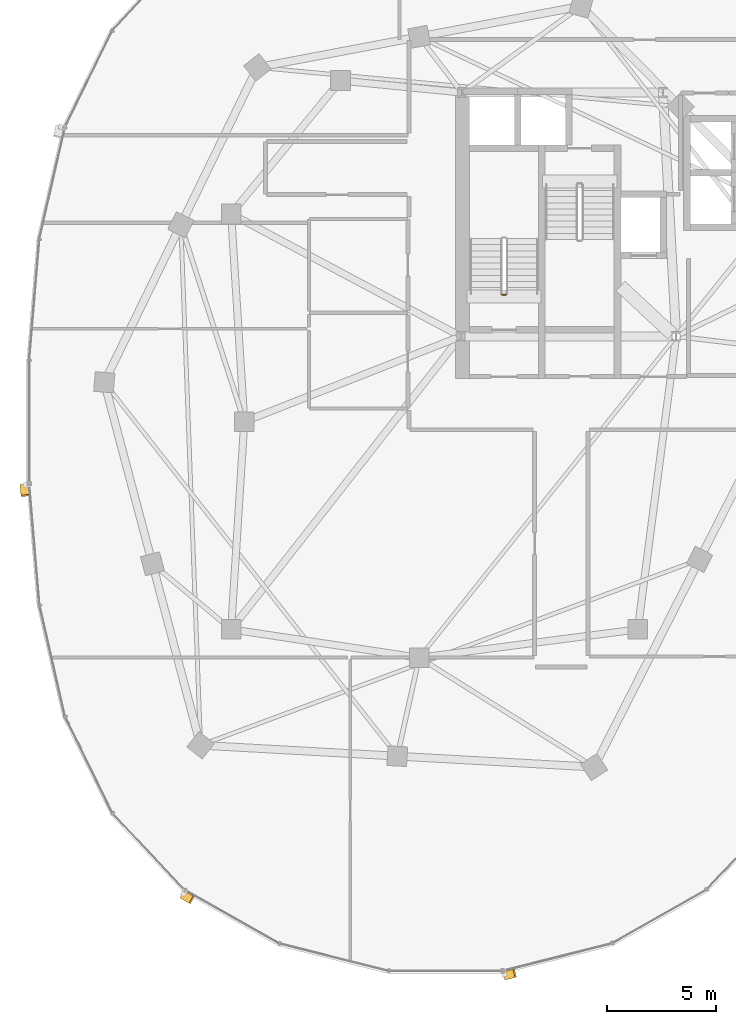
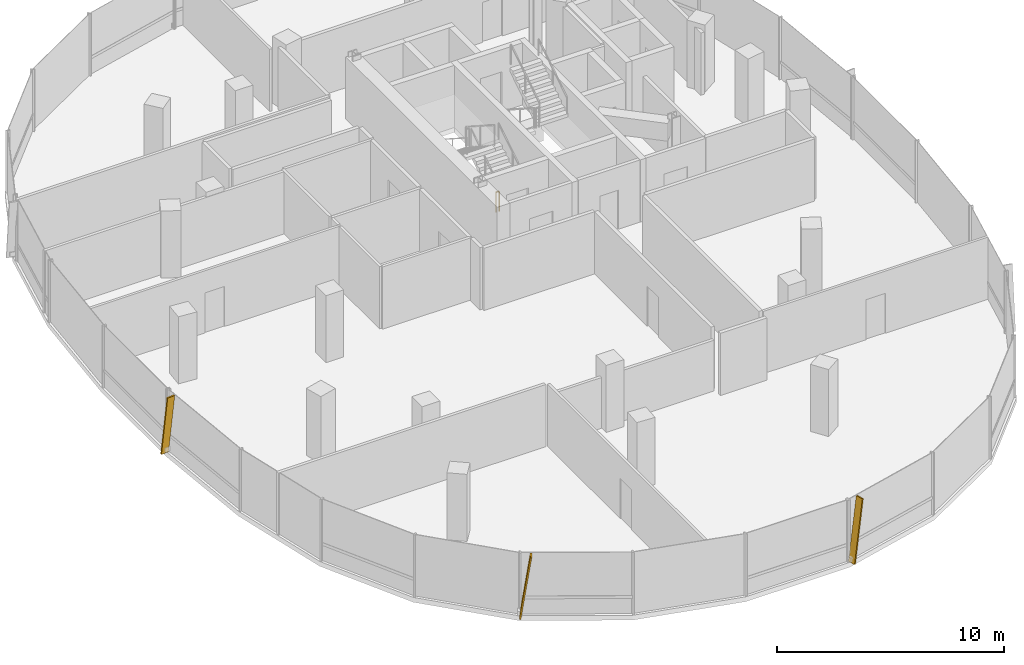
# One storey, part 21 of 25: 3 shading devices, 1 railing.
"""IFC4 building model written with IfcOpenShell, lengths in metres."""

from ifc_helpers import new_model, si_unit, direction, frame, origin, origin_2d, place, context, subcontext, project, spatial, rectangle, extrude, material, material_profile, profile_set, type_object, element, save


model = new_model("IFC4")

# Units and contexts
model_context = context("Model", 3, precision=1e-05, world=origin(), true_north=direction((0.0, 1.0)))
body_context = subcontext(model_context, "Body", "Model", "MODEL_VIEW")
ifc_project = project(units=[si_unit("LENGTHUNIT", "METRE"), si_unit("AREAUNIT", "SQUARE_METRE"), si_unit("VOLUMEUNIT", "CUBIC_METRE"), si_unit("PLANEANGLEUNIT", "RADIAN"), si_unit("MASSUNIT", "GRAM", prefix="KILO"), si_unit("THERMODYNAMICTEMPERATUREUNIT", "KELVIN"), si_unit("POWERUNIT", "WATT")], contexts=[model_context])

# Site, building, storey
site_placement = place(None, origin())
site = spatial("IfcSite", under=ifc_project, at=site_placement, CompositionType="ELEMENT")
building_placement = place(site_placement, origin())
building = spatial("IfcBuilding", under=site, at=building_placement, Name="Cundina Bronze Exchange", CompositionType="ELEMENT")
storey_placement = place(building_placement, frame((0.0, 0.0, 213.39990234375)))
storey = spatial("IfcBuildingStorey", under=building, at=storey_placement, Name="L56", CompositionType="ELEMENT", Elevation=213.39990234375)

# Railing
ifc_material_1 = material(Name="Steel ASTM A36 Painted", Category="steel")
railing_type = type_object("IfcRailingType", Name="RLG-STG-1100", PredefinedType="GUARDRAIL", material=ifc_material_1)
railing_placement = place(storey_placement, frame((-29.239990234375, 5.800048828125, 0.0)))
element("IfcRailing", 1, at=railing_placement, inside=storey, type_object=railing_type, Name="L56 ST-W1 stair guard 4", PredefinedType="GUARDRAIL", context=body_context, shape_type="SweptSolid", body=[
    extrude(rectangle(XDim=0.048095703125, YDim=0.048095703125, at=origin_2d()), frame((0.0, 0.0, 1.076171875), z_axis=(-1.0, 0.0, 0.0), x_axis=(0.0, -1.0, 0.0)), (0.0, 0.0, 1.0), 0.159912109375),
    extrude(rectangle(XDim=0.0419921875, YDim=0.0419921875, at=origin_2d()), origin(), (0.0, 0.0, 1.0), 1.052001953125),
    extrude(rectangle(XDim=0.0419921875, YDim=0.0419921875, at=origin_2d()), frame((-0.159912109375, 0.0, 0.0)), (0.0, 0.0, 1.0), 1.052001953125),
])

# Shading devices
ifc_material_2 = material(Name="Anodised Bronze Aluminium 6063-T6", Category="aluminium")
ifc_material_profile = material_profile(ifc_material_2, rectangle(XDim=0.070068359375, YDim=0.3798828125, at=origin_2d()), Name="FIN70X380", Category="aluminium")
ifc_profile_set = profile_set([ifc_material_profile], Name="Anodised Bronze Aluminium 6063-T6")
shading_device_type = type_object("IfcShadingDeviceType", Name="SHD-FIN-BRZ380", PredefinedType="USERDEFINED", material=ifc_profile_set)
for number, where, z_axis, x_axis, name in (
    (2, (-51.264404296875, -2.90283203125, 0.02001953125), (0.012006555776, -0.143419772964, 0.98958911238), (-0.082555834947, 0.986139516224, 0.143921466983), "L56 Diagonal Bronze Solar Fin 1"),
    (3, (-44.015625, -21.635498046875, 0.02001953125), (0.125189514072, -0.071087145125, 0.989582843103), (-0.860526986551, 0.488638423358, 0.143964567292), "L56 Diagonal Bronze Solar Fin 5"),
    (4, (-29.294189453125, -25.344482421875, 0.02001953125), (0.139611891367, 0.03514090606, 0.989582556693), (-0.959650042543, -0.24154799183, 0.143966536007), "L56 Diagonal Bronze Solar Fin 1"),
):
    element("IfcShadingDevice", number, at=place(storey_placement, frame(where, z_axis=z_axis, x_axis=x_axis)), inside=storey, type_object=shading_device_type, Name=name, ObjectType="FIN", PredefinedType="USERDEFINED", context=body_context, shape_type="SweptSolid", body=[
        extrude(rectangle(XDim=0.070068359375, YDim=0.3798828125, at=origin_2d()), origin(), (0.0, 0.0, 1.0), 3.334716796875),
    ])

save(model, "model.ifc")
